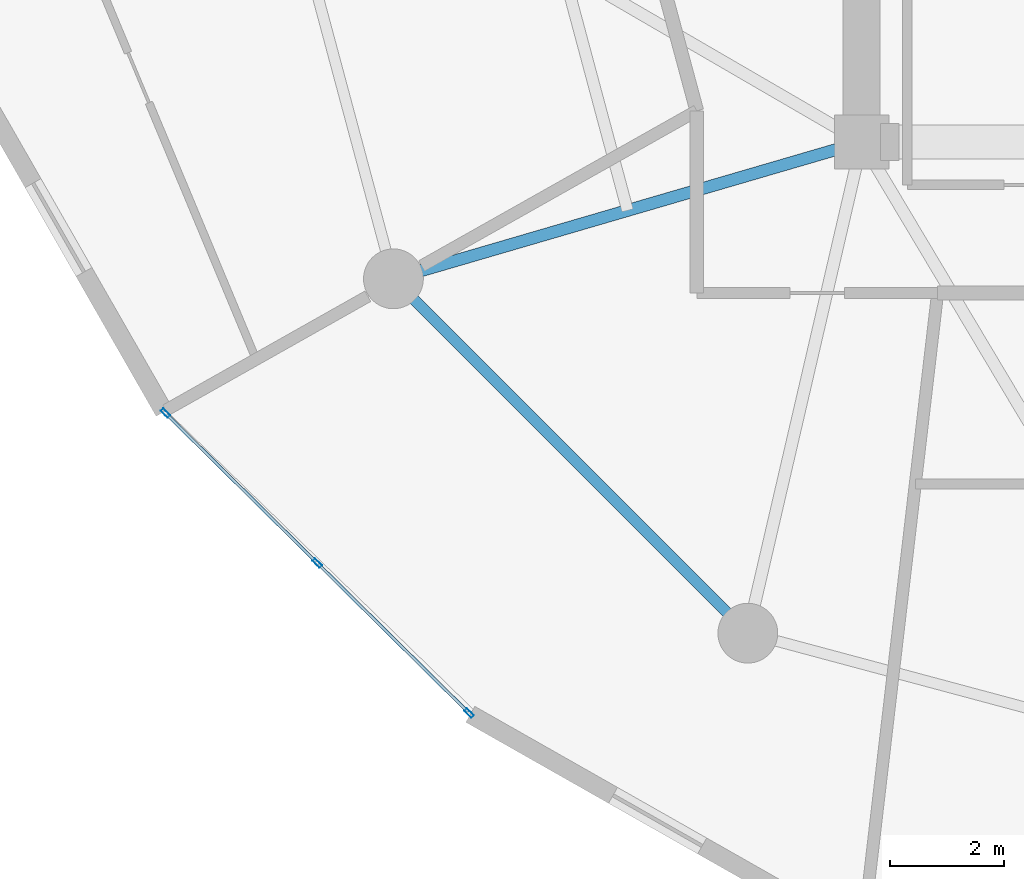
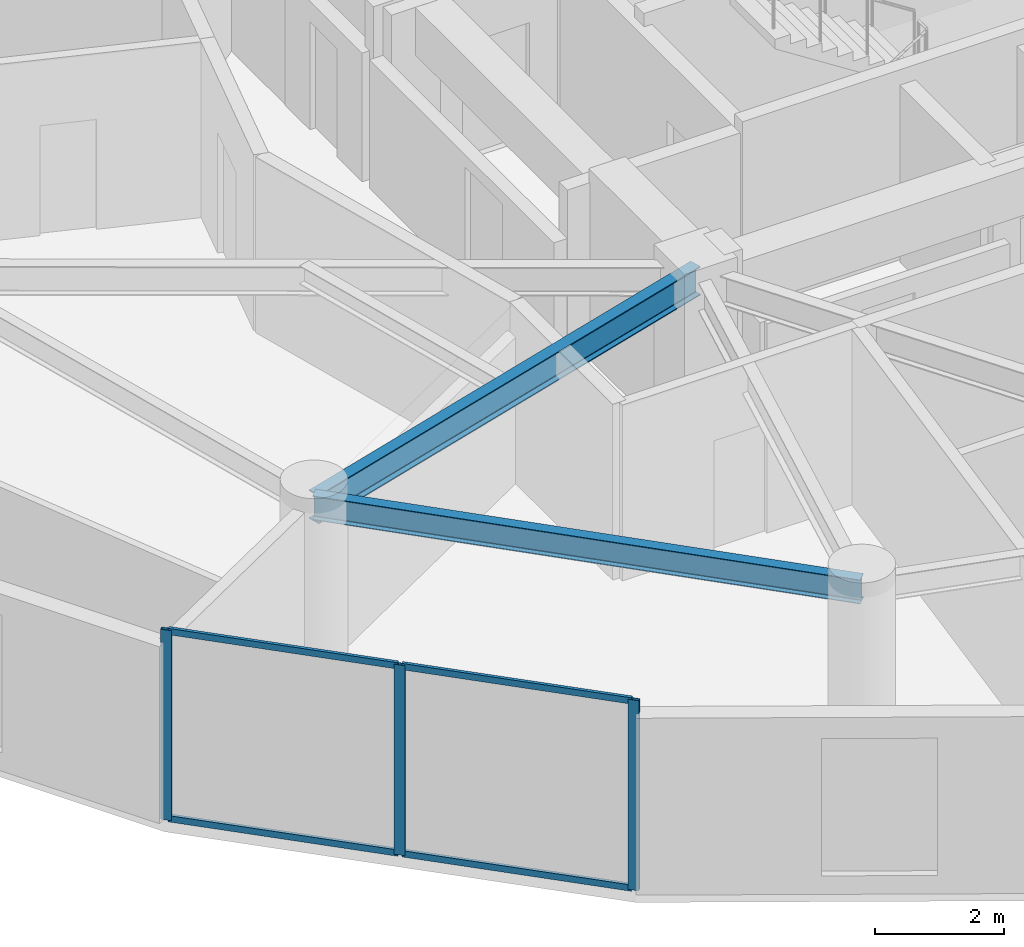
# One storey, part 2 of 25: 7 members, 2 beams, 1 element without a shape of its own.
"""IFC4 building model written with IfcOpenShell, lengths in metres."""

from ifc_helpers import new_model, si_unit, direction, frame, origin, origin_2d, place, context, subcontext, project, spatial, hollow_rectangle, i_section, extrude, source, transform, mapped, material, layer, layer_set, material_profile, profile_set, type_object, element, aggregate, save


model = new_model("IFC4")

# Units and contexts
model_context = context("Model", 3, precision=1e-05, world=origin(), true_north=direction((0.0, 1.0)))
body_context = subcontext(model_context, "Body", "Model", "MODEL_VIEW")
ifc_project = project(units=[si_unit("LENGTHUNIT", "METRE"), si_unit("AREAUNIT", "SQUARE_METRE"), si_unit("VOLUMEUNIT", "CUBIC_METRE"), si_unit("PLANEANGLEUNIT", "RADIAN"), si_unit("MASSUNIT", "GRAM", prefix="KILO")], contexts=[model_context])

# Site, building, storey
site_placement = place(None, origin())
site = spatial("IfcSite", under=ifc_project, at=site_placement, CompositionType="ELEMENT")
building_placement = place(site_placement, origin())
building = spatial("IfcBuilding", under=site, at=building_placement, Name="Solvirekh Grand Hotel", CompositionType="ELEMENT")
storey_placement = place(building_placement, frame((0.0, 0.0, 124.199951171875)))
storey = spatial("IfcBuildingStorey", under=building, at=storey_placement, Name="L31", CompositionType="ELEMENT", Elevation=124.199951171875)

# Beams
ifc_material_1 = material(Name="Steel S355", Category="steel")
ifc_material_profile_1 = material_profile(ifc_material_1, i_section(OverallWidth=0.2119140625, OverallDepth=0.5439453125, WebThickness=0.011962890625, FlangeThickness=0.01904296875, FilletRadius=0.013916015625, at=origin_2d()), Name="W530X123")
ifc_profile_set_1 = profile_set([ifc_material_profile_1], Name="Steel S355")
beam_type_1 = type_object("IfcBeamType", Name="Beam_Radial_W530H", PredefinedType="BEAM", material=ifc_profile_set_1)
beam_1_placement = place(storey_placement, frame((-6.5, -6.10009765625, 3.078125), z_axis=(-0.959942195467, -0.28019811092, 0.0), x_axis=(0.28019811092, -0.959942195467, 0.0)))
element("IfcBeam", 1, at=beam_1_placement, inside=storey, type_object=beam_type_1, Name="L31 radial floor beam R08", PredefinedType="BEAM", context=body_context, shape_type="SweptSolid", body=[
    extrude(i_section(OverallWidth=0.2119140625, OverallDepth=0.5439453125, WebThickness=0.011962890625, FlangeThickness=0.01904296875, FilletRadius=0.013916015625, at=origin_2d()), origin(), (0.0, 0.0, 1.0), 8.56494140625),
])
ifc_material_profile_2 = material_profile(ifc_material_1, i_section(OverallWidth=0.18994140625, OverallDepth=0.45703125, WebThickness=0.009033203125, FlangeThickness=0.013916015625, FilletRadius=0.012939453125, at=origin_2d()), Name="W460X74")
ifc_profile_set_2 = profile_set([ifc_material_profile_2], Name="Steel S355")
beam_type_2 = type_object("IfcBeamType", Name="Spandrel_Ring_W460", PredefinedType="SPANDREL", material=ifc_profile_set_2)
beam_2_placement = place(storey_placement, frame((-14.721923828125, -8.5, 3.1220703125), z_axis=(0.707106781187, -0.707106781187, 0.0), x_axis=(0.707106781187, 0.707106781187, 0.0)))
element("IfcBeam", 2, at=beam_2_placement, inside=storey, type_object=beam_type_2, Name="L31 perimeter spandrel beam 8", PredefinedType="SPANDREL", context=body_context, shape_type="SweptSolid", body=[
    extrude(i_section(OverallWidth=0.18994140625, OverallDepth=0.45703125, WebThickness=0.009033203125, FlangeThickness=0.013916015625, FilletRadius=0.012939453125, at=origin_2d()), origin(), (0.0, 0.0, 1.0), 8.799072265625),
])

# Curtain wall, members
ifc_material_2 = material(Name="Anodized Bronze Aluminium 6063-T6", Category="aluminium")
ifc_layer = layer(ifc_material_2, 0.175048828125)
ifc_layer_set = layer_set([ifc_layer], Name="Anodized Bronze Aluminium 6063-T6")
curtain_wall_type = type_object("IfcCurtainWallType", Name="CW_Sys3_MidZoneFlushBronzeCW", PredefinedType="NOTDEFINED", material=ifc_layer_set)
curtain_wall_placement = place(storey_placement, origin())
curtain_wall = element("IfcCurtainWall", 3, at=curtain_wall_placement, inside=storey, type_object=curtain_wall_type, Name="L31 unitised bronze-glass curtain wall CW-L31-C15", PredefinedType="NOTDEFINED")
ifc_material_profile_3 = material_profile(ifc_material_2, hollow_rectangle(XDim=0.054931640625, YDim=0.1201171875, WallThickness=0.00390625, at=origin_2d()), Name="ALU RHS 120X55X4")
ifc_profile_set_3 = profile_set([ifc_material_profile_3], Name="Anodized Bronze Aluminium 6063-T6")
member_type_1 = type_object("IfcMemberType", Name="CWTransom_Sys3", PredefinedType="USERDEFINED", material=ifc_profile_set_3)
shared_shape_1 = source(origin(), body_context, "Body", "SweptSolid", [
    extrude(hollow_rectangle(XDim=0.054931640625, YDim=0.1201171875, WallThickness=0.00390625, at=origin_2d()), origin(), (0.0, 0.0, 1.0), 3.681884765625),
])
member_1_placement = place(storey_placement, frame((-16.036376953125, -13.513427734375, 0.027587890625), z_axis=(0.711337672432, -0.702850422052, 0.0), x_axis=(0.702850422052, 0.711337672432, 0.0)))
member_1 = element("IfcMember", 4, at=member_1_placement, type_object=member_type_1, Name="U03 transom 2.1", ObjectType="TRANSOM", PredefinedType="USERDEFINED", context=body_context, shape_type="MappedRepresentation", body=[
    mapped(shared_shape_1, transform((0.0, 0.0, 0.0), x_axis=(1.0, 0.0, 0.0), y_axis=(0.0, 1.0, 0.0), z_axis=(0.0, 0.0, 1.0), scale=1.0)),
])
member_2_placement = place(storey_placement, frame((-16.036376953125, -13.513427734375, 3.572509765625), z_axis=(0.711337672432, -0.702850422052, 0.0), x_axis=(0.702850422052, 0.711337672432, 0.0)))
member_2 = element("IfcMember", 5, at=member_2_placement, type_object=member_type_1, Name="U03 transom 2.2", ObjectType="TRANSOM", PredefinedType="USERDEFINED", context=body_context, shape_type="MappedRepresentation", body=[
    mapped(shared_shape_1, transform((0.0, 0.0, 0.0), x_axis=(1.0, 0.0, 0.0), y_axis=(0.0, 1.0, 0.0), z_axis=(0.0, 0.0, 1.0), scale=1.0)),
])
ifc_material_profile_4 = material_profile(ifc_material_2, hollow_rectangle(XDim=0.06494140625, YDim=0.175048828125, WallThickness=0.0048828125, at=origin_2d()), Name="ALU RHS 175X65X5")
ifc_profile_set_4 = profile_set([ifc_material_profile_4], Name="Anodized Bronze Aluminium 6063-T6")
member_type_2 = type_object("IfcMemberType", Name="CWMullion_Sys3", PredefinedType="MULLION", material=ifc_profile_set_4)
shared_shape_2 = source(origin(), body_context, "Body", "SweptSolid", [
    extrude(hollow_rectangle(XDim=0.06494140625, YDim=0.175048828125, WallThickness=0.0048828125, at=origin_2d()), origin(), (0.0, 0.0, 1.0), 3.60009765625),
])
member_3_placement = place(storey_placement, frame((-18.724853515625, -10.85693359375, 0.0), z_axis=(0.0, 0.0, 1.0), x_axis=(0.702860804808, 0.711327413407, 0.0)))
member_3 = element("IfcMember", 6, at=member_3_placement, type_object=member_type_2, Name="U03 mullion 1", PredefinedType="MULLION", context=body_context, shape_type="MappedRepresentation", body=[
    mapped(shared_shape_2, transform((0.0, 0.0, 0.0), x_axis=(1.0, 0.0, 0.0), y_axis=(0.0, 1.0, 0.0), z_axis=(0.0, 0.0, 1.0), scale=1.0)),
])
member_4_placement = place(storey_placement, frame((-16.0595703125, -13.490478515625, 0.0), z_axis=(0.0, 0.0, 1.0), x_axis=(0.702860804808, 0.711327413407, 0.0)))
member_4 = element("IfcMember", 7, at=member_4_placement, type_object=member_type_2, Name="U03 mullion 2", PredefinedType="MULLION", context=body_context, shape_type="MappedRepresentation", body=[
    mapped(shared_shape_2, transform((0.0, 0.0, 0.0), x_axis=(1.0, 0.0, 0.0), y_axis=(0.0, 1.0, 0.0), z_axis=(0.0, 0.0, 1.0), scale=1.0)),
])
member_5_placement = place(storey_placement, frame((-13.39404296875, -16.124267578125, 0.0), z_axis=(0.0, 0.0, 1.0), x_axis=(0.702860804808, 0.711327413407, 0.0)))
member_5 = element("IfcMember", 8, at=member_5_placement, type_object=member_type_2, Name="U03 mullion 3", PredefinedType="MULLION", context=body_context, shape_type="MappedRepresentation", body=[
    mapped(shared_shape_2, transform((0.0, 0.0, 0.0), x_axis=(1.0, 0.0, 0.0), y_axis=(0.0, 1.0, 0.0), z_axis=(0.0, 0.0, 1.0), scale=1.0)),
])
shared_shape_3 = source(origin(), body_context, "Body", "SweptSolid", [
    extrude(hollow_rectangle(XDim=0.054931640625, YDim=0.1201171875, WallThickness=0.00390625, at=origin_2d()), origin(), (0.0, 0.0, 1.0), 3.68212890625),
])
member_6_placement = place(storey_placement, frame((-18.70166015625, -10.879638671875, 0.027587890625), z_axis=(0.711304522252, -0.702883970954, 0.0), x_axis=(0.702883970954, 0.711304522252, 0.0)))
member_6 = element("IfcMember", 9, at=member_6_placement, type_object=member_type_1, Name="U03 transom 1.1", ObjectType="TRANSOM", PredefinedType="USERDEFINED", context=body_context, shape_type="MappedRepresentation", body=[
    mapped(shared_shape_3, transform((0.0, 0.0, 0.0), x_axis=(1.0, 0.0, 0.0), y_axis=(0.0, 1.0, 0.0), z_axis=(0.0, 0.0, 1.0), scale=1.0)),
])
member_7_placement = place(storey_placement, frame((-18.70166015625, -10.879638671875, 3.572509765625), z_axis=(0.711304522252, -0.702883970954, 0.0), x_axis=(0.702883970954, 0.711304522252, 0.0)))
member_7 = element("IfcMember", 10, at=member_7_placement, type_object=member_type_1, Name="U03 transom 1.2", ObjectType="TRANSOM", PredefinedType="USERDEFINED", context=body_context, shape_type="MappedRepresentation", body=[
    mapped(shared_shape_3, transform((0.0, 0.0, 0.0), x_axis=(1.0, 0.0, 0.0), y_axis=(0.0, 1.0, 0.0), z_axis=(0.0, 0.0, 1.0), scale=1.0)),
])
aggregate(curtain_wall, [member_3, member_4, member_5, member_6, member_7, member_1, member_2])

save(model, "model.ifc")
